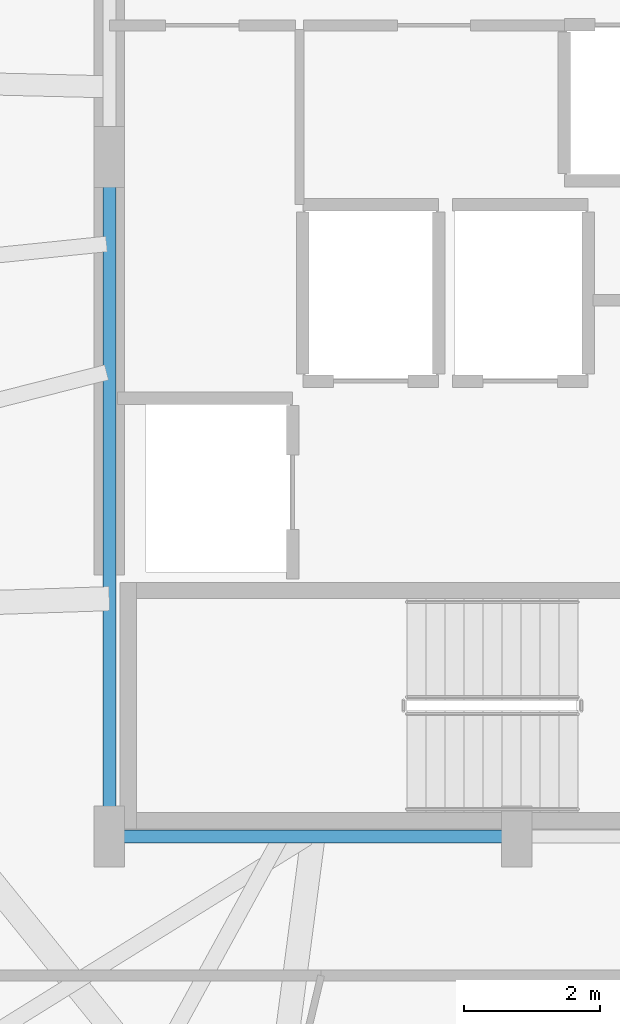
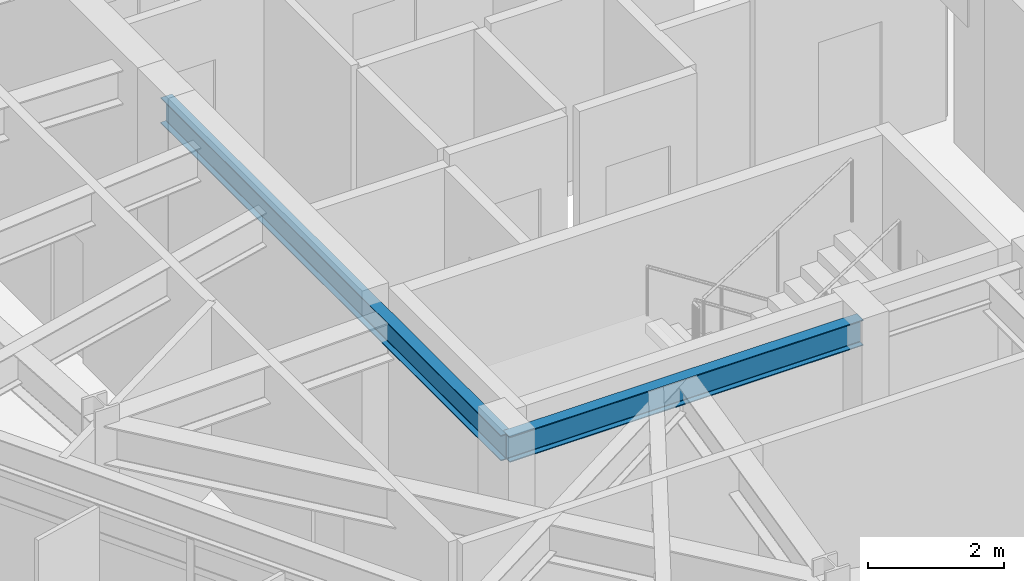
# One storey, part 4 of 28: 2 beams.
"""IFC4 building model written with IfcOpenShell, lengths in metres."""

from ifc_helpers import new_model, si_unit, direction, frame, origin, origin_2d, place, context, subcontext, project, spatial, i_section, extrude, material, material_profile, profile_set, type_object, element, save


model = new_model("IFC4")

# Units and contexts
model_context = context("Model", 3, precision=1e-05, world=origin(), true_north=direction((0.0, 1.0)))
body_context = subcontext(model_context, "Body", "Model", "MODEL_VIEW")
ifc_project = project(units=[si_unit("LENGTHUNIT", "METRE"), si_unit("AREAUNIT", "SQUARE_METRE"), si_unit("VOLUMEUNIT", "CUBIC_METRE"), si_unit("PLANEANGLEUNIT", "RADIAN"), si_unit("MASSUNIT", "GRAM", prefix="KILO")], contexts=[model_context])

# Site, building, storey
site_placement = place(None, origin())
site = spatial("IfcSite", under=ifc_project, at=site_placement, CompositionType="ELEMENT")
building_placement = place(site_placement, origin())
building = spatial("IfcBuilding", under=site, at=building_placement, Name="Soratama Intermodal Tower", CompositionType="ELEMENT")
storey_placement = place(building_placement, frame((0.0, 0.0, 205.0)))
storey = spatial("IfcBuildingStorey", under=building, at=storey_placement, Name="L51", CompositionType="ELEMENT", Elevation=205.0)

# Beams
ifc_material = material(Name="Structural steel ASTM A992 Grade 50", Category="steel")
ifc_material_profile = material_profile(ifc_material, i_section(OverallWidth=0.19091796875, OverallDepth=0.4599609375, WebThickness=0.010009765625, FlangeThickness=0.01611328125, FilletRadius=0.010986328125, at=origin_2d()), Name="W18X55")
ifc_profile_set = profile_set([ifc_material_profile], Name="Structural steel ASTM A992 Grade 50")
beam_type = type_object("IfcBeamType", Name="BM-FLR-W18X55", PredefinedType="BEAM", material=ifc_profile_set)
beam_1_placement = place(storey_placement, frame((32.60009765625, 15.0, 3.070068359375), z_axis=(1.0, 0.0, 0.0), x_axis=(0.0, 1.0, 0.0)))
element("IfcBeam", 1, at=beam_1_placement, inside=storey, type_object=beam_type, Name="BM-L51-CRING-01", PredefinedType="BEAM", context=body_context, shape_type="SweptSolid", body=[
    extrude(i_section(OverallWidth=0.19091796875, OverallDepth=0.4599609375, WebThickness=0.010009765625, FlangeThickness=0.01611328125, FilletRadius=0.010986328125, at=origin_2d()), origin(), (0.0, 0.0, 1.0), 6.0),
])
beam_2_placement = place(storey_placement, frame((32.60009765625, 25.0, 3.070068359375), z_axis=(0.0, -1.0, 0.0), x_axis=(1.0, 0.0, 0.0)))
element("IfcBeam", 2, at=beam_2_placement, inside=storey, type_object=beam_type, Name="BM-L51-CRING-09", PredefinedType="BEAM", context=body_context, shape_type="SweptSolid", body=[
    extrude(i_section(OverallWidth=0.19091796875, OverallDepth=0.4599609375, WebThickness=0.010009765625, FlangeThickness=0.01611328125, FilletRadius=0.010986328125, at=origin_2d()), origin(), (0.0, 0.0, 1.0), 10.0),
])

save(model, "model.ifc")
